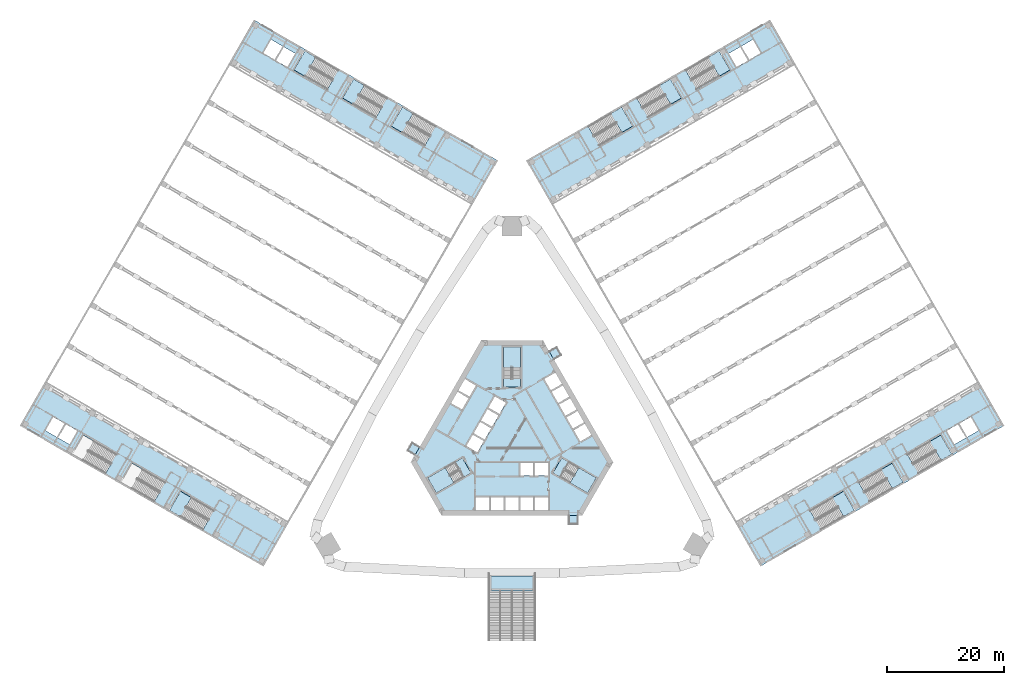
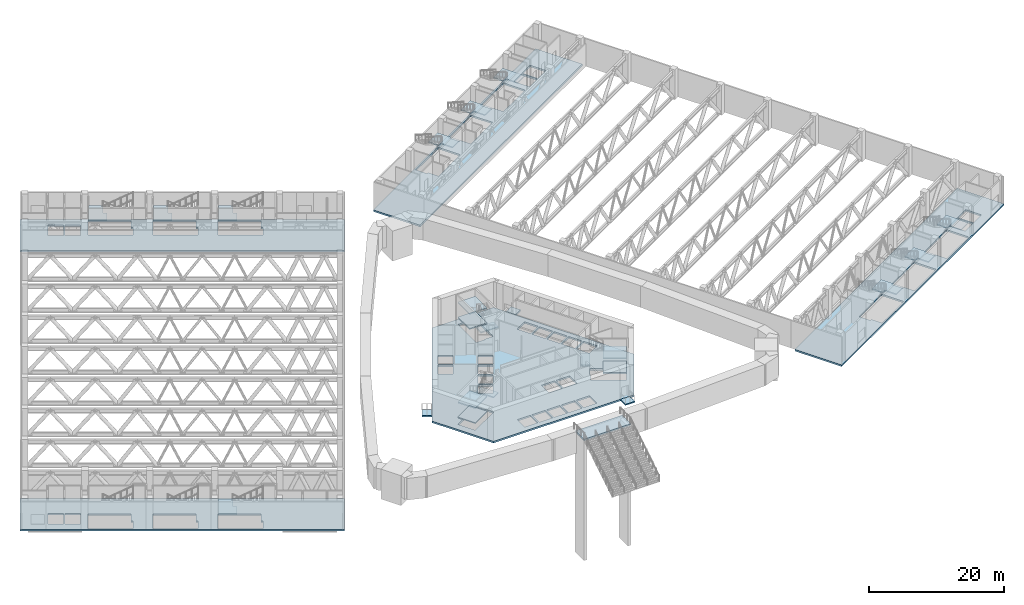
# One storey, part 12 of 37: 28 slabs, 13 elements without a shape of their own.
"""IFC4 building model written with IfcOpenShell, lengths in metres."""

from ifc_helpers import new_model, si_unit, direction, frame, origin, place, context, subcontext, project, spatial, polyline, outline, extrude, material, layer, layer_set, type_object, element, aggregate, save


model = new_model("IFC4")

# Units and contexts
model_context = context("Model", 3, precision=1e-05, world=origin(), true_north=direction((0.0, 1.0)))
body_context = subcontext(model_context, "Body", "Model", "MODEL_VIEW")
ifc_project = project(units=[si_unit("LENGTHUNIT", "METRE"), si_unit("AREAUNIT", "SQUARE_METRE"), si_unit("VOLUMEUNIT", "CUBIC_METRE"), si_unit("PLANEANGLEUNIT", "RADIAN"), si_unit("MASSUNIT", "GRAM", prefix="KILO")], contexts=[model_context])

# Site, building, storey
site_placement = place(None, origin())
site = spatial("IfcSite", under=ifc_project, at=site_placement, CompositionType="ELEMENT")
building_placement = place(site_placement, origin())
building = spatial("IfcBuilding", under=site, at=building_placement, Name="Mestral Congress Tower", CompositionType="ELEMENT")
storey_placement = place(building_placement, frame((0.0, 0.0, 16.199951171875)))
storey = spatial("IfcBuildingStorey", under=building, at=storey_placement, Name="L03", CompositionType="ELEMENT", Elevation=16.199951171875)

# Slabs
ifc_material_1 = material(Name="Concrete C35/45", Category="concrete")
ifc_layer_1 = layer(ifc_material_1, 0.300048828125)
ifc_layer_set_1 = layer_set([ifc_layer_1], Name="Concrete C35/45")
slab_type_1 = type_object("IfcSlabType", Name="Composite floor slab 300", PredefinedType="FLOOR", material=ifc_layer_set_1)
placement_1 = place(storey_placement, frame((0.0, 0.0, -0.300048828125)))
element("IfcSlab", 1, at=placement_1, inside=storey, type_object=slab_type_1, Name="SL-L03-E-0", PredefinedType="FLOOR", context=body_context, shape_type="SweptSolid", body=[
    extrude(outline(polyline([(44.0234375, 71.60498046875), (2.454345703125, 47.60498046875), (6.454345703125, 40.6767578125), (48.0234375, 64.6767578125), (44.0234375, 71.60498046875)]), holes=[polyline([(13.923583984375, 51.859619140625), (13.023681640625, 53.41845703125), (18.8173828125, 56.763427734375), (19.71728515625, 55.20458984375), (19.792236328125, 55.07470703125), (20.6923828125, 53.515869140625), (15.149658203125, 50.31591796875), (14.249755859375, 51.874755859375), (13.99853515625, 51.729736328125), (13.923583984375, 51.859619140625)]), polyline([(22.2373046875, 56.65966796875), (21.33740234375, 58.218505859375), (27.131103515625, 61.5634765625), (28.031005859375, 60.004638671875), (28.106201171875, 59.874755859375), (29.006103515625, 58.31591796875), (23.463623046875, 55.115966796875), (22.563720703125, 56.6748046875), (22.3125, 56.52978515625), (22.2373046875, 56.65966796875)]), polyline([(29.6513671875, 63.0185546875), (35.445068359375, 66.363525390625), (36.344970703125, 64.8046875), (36.419921875, 64.6748046875), (37.320068359375, 63.115966796875), (31.77734375, 59.916015625), (30.87744140625, 61.474853515625), (30.626220703125, 61.329833984375), (30.55126953125, 61.459716796875), (29.6513671875, 63.0185546875)]), polyline([(38.989501953125, 67.0244140625), (40.339599609375, 64.68603515625), (38.34765625, 63.535888671875), (36.99755859375, 65.874267578125), (38.989501953125, 67.0244140625)]), polyline([(41.154541015625, 68.2744140625), (42.50439453125, 65.93603515625), (40.5126953125, 64.785888671875), (39.16259765625, 67.124267578125), (41.154541015625, 68.2744140625)])]), origin(), (0.0, 0.0, 1.0), 0.300048828125),
])
element("IfcSlab", 2, at=placement_1, inside=storey, type_object=slab_type_1, Name="SL-L03-E-1", PredefinedType="FLOOR", context=body_context, shape_type="SweptSolid", body=[
    extrude(outline(polyline([(42.454345703125, -21.677001953125), (84.0234375, 2.322998046875), (80.0234375, 9.251220703125), (38.454345703125, -14.748779296875), (42.454345703125, -21.677001953125)]), holes=[polyline([(50.898681640625, -12.182861328125), (56.6923828125, -8.837890625), (57.59228515625, -10.396728515625), (57.667236328125, -10.526611328125), (58.5673828125, -12.08544921875), (53.024658203125, -15.285400390625), (52.124755859375, -13.7265625), (51.87353515625, -13.87158203125), (51.798583984375, -13.74169921875), (50.898681640625, -12.182861328125)]), polyline([(59.21240234375, -7.3828125), (65.006103515625, -4.037841796875), (65.906005859375, -5.5966796875), (65.981201171875, -5.7265625), (66.881103515625, -7.285400390625), (61.338623046875, -10.485595703125), (60.438720703125, -8.926513671875), (60.1875, -9.071533203125), (60.1123046875, -8.941650390625), (59.21240234375, -7.3828125)]), polyline([(68.42626953125, -4.1416015625), (67.5263671875, -2.5830078125), (73.320068359375, 0.76220703125), (74.219970703125, -0.796630859375), (74.294921875, -0.926513671875), (75.195068359375, -2.485595703125), (69.65234375, -5.685546875), (68.75244140625, -4.126708984375), (68.501220703125, -4.271484375), (68.42626953125, -4.1416015625)]), polyline([(76.189453125, 2.592041015625), (77.53955078125, 0.253662109375), (75.547607421875, -0.896240234375), (74.197509765625, 1.44189453125), (76.189453125, 2.592041015625)]), polyline([(79.70458984375, 1.503662109375), (77.712646484375, 0.353759765625), (76.36279296875, 2.69189453125), (78.3544921875, 3.842041015625), (79.70458984375, 1.503662109375)])]), origin(), (0.0, 0.0, 1.0), 0.300048828125),
])
element("IfcSlab", 3, at=placement_1, inside=storey, type_object=slab_type_1, Name="SL-L03-W-0", PredefinedType="FLOOR", context=body_context, shape_type="SweptSolid", body=[
    extrude(outline(polyline([(-84.0234375, 2.322998046875), (-42.454345703125, -21.677001953125), (-38.454345703125, -14.748779296875), (-80.0234375, 9.251220703125), (-84.0234375, 2.322998046875)]), holes=[polyline([(-51.87353515625, -13.87158203125), (-52.773681640625, -15.430419921875), (-58.5673828125, -12.08544921875), (-57.667236328125, -10.526611328125), (-57.59228515625, -10.396728515625), (-56.6923828125, -8.837890625), (-51.149658203125, -12.037841796875), (-52.0498046875, -13.5966796875), (-51.798583984375, -13.74169921875), (-51.87353515625, -13.87158203125)]), polyline([(-60.1875, -9.07177734375), (-61.08740234375, -10.630615234375), (-66.881103515625, -7.285400390625), (-65.981201171875, -5.726806640625), (-65.906005859375, -5.5966796875), (-65.006103515625, -4.037841796875), (-59.463623046875, -7.23779296875), (-60.363525390625, -8.796875), (-60.1123046875, -8.94189453125), (-60.1875, -9.07177734375)]), polyline([(-69.4013671875, -5.83056640625), (-75.195068359375, -2.485595703125), (-74.294921875, -0.9267578125), (-74.219970703125, -0.796875), (-73.320068359375, 0.76220703125), (-67.77734375, -2.43798828125), (-68.677490234375, -3.996826171875), (-68.42626953125, -4.141845703125), (-68.501220703125, -4.271728515625), (-69.4013671875, -5.83056640625)]), polyline([(-77.53955078125, 0.253662109375), (-76.189453125, 2.592041015625), (-74.197509765625, 1.44189453125), (-75.547607421875, -0.896240234375), (-77.53955078125, 0.253662109375)]), polyline([(-79.70458984375, 1.503662109375), (-78.3544921875, 3.842041015625), (-76.36279296875, 2.69189453125), (-77.712646484375, 0.353759765625), (-79.70458984375, 1.503662109375)])]), origin(), (0.0, 0.0, 1.0), 0.300048828125),
])
element("IfcSlab", 4, at=placement_1, inside=storey, type_object=slab_type_1, Name="SL-L03-W-1", PredefinedType="FLOOR", context=body_context, shape_type="SweptSolid", body=[
    extrude(outline(polyline([(-2.454345703125, 47.60498046875), (-44.0234375, 71.60498046875), (-48.0234375, 64.6767578125), (-6.454345703125, 40.6767578125), (-2.454345703125, 47.60498046875)]), holes=[polyline([(-14.898681640625, 50.1708984375), (-20.6923828125, 53.515869140625), (-19.792236328125, 55.07470703125), (-19.71728515625, 55.20458984375), (-18.8173828125, 56.763427734375), (-13.274658203125, 53.5634765625), (-14.1748046875, 52.004638671875), (-13.923583984375, 51.859619140625), (-13.99853515625, 51.729736328125), (-14.898681640625, 50.1708984375)]), polyline([(-23.21240234375, 54.970947265625), (-29.006103515625, 58.31591796875), (-28.106201171875, 59.874755859375), (-28.031005859375, 60.004638671875), (-27.131103515625, 61.5634765625), (-21.588623046875, 58.363525390625), (-22.488525390625, 56.8046875), (-22.2373046875, 56.65966796875), (-22.3125, 56.52978515625), (-23.21240234375, 54.970947265625)]), polyline([(-30.626220703125, 61.32958984375), (-31.5263671875, 59.77099609375), (-37.320068359375, 63.115966796875), (-36.419921875, 64.6748046875), (-36.344970703125, 64.8046875), (-35.445068359375, 66.363525390625), (-29.90234375, 63.16357421875), (-30.802490234375, 61.6044921875), (-30.55126953125, 61.459716796875), (-30.626220703125, 61.32958984375)]), polyline([(-40.339599609375, 64.68603515625), (-38.989501953125, 67.0244140625), (-36.99755859375, 65.874267578125), (-38.34765625, 63.535888671875), (-40.339599609375, 64.68603515625)]), polyline([(-41.154541015625, 68.2744140625), (-39.16259765625, 67.124267578125), (-40.5126953125, 64.785888671875), (-42.50439453125, 65.93603515625), (-41.154541015625, 68.2744140625)])]), origin(), (0.0, 0.0, 1.0), 0.300048828125),
])
ifc_material_2 = material(Name="Concrete C60/75", Category="concrete")
ifc_layer_2 = layer(ifc_material_2, 0.300048828125)
ifc_layer_set_2 = layer_set([ifc_layer_2], Name="Concrete C60/75")
slab_type_2 = type_object("IfcSlabType", Name="Core floor slab RC 300", PredefinedType="FLOOR", material=ifc_layer_set_2)
element("IfcSlab", 5, at=placement_1, inside=storey, type_object=slab_type_2, Name="L03 core floor", PredefinedType="FLOOR", context=body_context, shape_type="SweptSolid", body=[
    extrude(outline(polyline([(12.0087890625, -13.0), (-12.0087890625, -13.0), (-17.2626953125, -3.89990234375), (-5.25390625, 16.89990234375), (5.25390625, 16.89990234375), (17.2626953125, -3.89990234375), (12.0087890625, -13.0)]), holes=[polyline([(-3.905029296875, -9.89990234375), (-6.175048828125, -9.89990234375), (-6.175048828125, -12.10009765625), (-3.905029296875, -12.10009765625), (-3.905029296875, -9.89990234375)]), polyline([(-1.385009765625, -9.89990234375), (-3.655029296875, -9.89990234375), (-3.655029296875, -12.10009765625), (-1.385009765625, -12.10009765625), (-1.385009765625, -9.89990234375)]), polyline([(1.135009765625, -9.89990234375), (-1.135009765625, -9.89990234375), (-1.135009765625, -12.10009765625), (1.135009765625, -12.10009765625), (1.135009765625, -9.89990234375)]), polyline([(-9.0673828125, -5.235107421875), (-9.8046875, -3.95751953125), (-14.37744140625, -6.59765625), (-12.90234375, -9.15234375), (-8.234619140625, -6.45751953125), (-8.971923828125, -5.179931640625), (-9.0673828125, -5.235107421875)]), polyline([(-7.826904296875, -1.156494140625), (-5.921630859375, -2.256591796875), (-4.78662109375, -0.29052734375), (-6.69189453125, 0.809326171875), (-7.826904296875, -1.156494140625)]), polyline([(-4.66162109375, -0.07421875), (-3.526611328125, 1.8916015625), (-5.431884765625, 2.99169921875), (-6.56689453125, 1.02587890625), (-4.66162109375, -0.07421875)]), polyline([(-3.401611328125, 2.1083984375), (-2.2666015625, 4.07421875), (-4.171875, 5.174072265625), (-5.306884765625, 3.208251953125), (-3.401611328125, 2.1083984375)]), polyline([(-2.1416015625, 4.29052734375), (-1.006591796875, 6.256591796875), (-2.911865234375, 7.3564453125), (-4.046875, 5.390625), (-2.1416015625, 4.29052734375)]), polyline([(-10.41650390625, 6.158203125), (-8.51123046875, 5.058349609375), (-7.376220703125, 7.024169921875), (-9.281494140625, 8.1240234375), (-10.41650390625, 6.158203125)]), polyline([(-9.156494140625, 8.340576171875), (-7.251220703125, 7.240478515625), (-6.1162109375, 9.20654296875), (-8.021484375, 10.306396484375), (-9.156494140625, 8.340576171875)]), polyline([(1.47509765625, 10.469970703125), (1.47509765625, 15.75), (-1.47509765625, 15.75), (-1.47509765625, 10.360107421875), (0.0, 10.360107421875), (0.0, 10.469970703125), (1.47509765625, 10.469970703125)]), polyline([(3.655029296875, -9.89990234375), (1.385009765625, -9.89990234375), (1.385009765625, -12.10009765625), (3.655029296875, -12.10009765625), (3.655029296875, -9.89990234375)]), polyline([(6.175048828125, -9.89990234375), (3.905029296875, -9.89990234375), (3.905029296875, -12.10009765625), (6.175048828125, -12.10009765625), (6.175048828125, -9.89990234375)]), polyline([(9.0673828125, -5.235107421875), (8.329833984375, -6.512451171875), (12.90234375, -9.15234375), (14.37744140625, -6.59765625), (9.70947265625, -3.902587890625), (8.971923828125, -5.179931640625), (9.0673828125, -5.235107421875)]), polyline([(3.655029296875, -6.199951171875), (3.655029296875, -4.0), (1.385009765625, -4.0), (1.385009765625, -6.199951171875), (3.655029296875, -6.199951171875)]), polyline([(6.175048828125, -4.0), (3.905029296875, -4.0), (3.905029296875, -6.199951171875), (6.175048828125, -6.199951171875), (6.175048828125, -4.0)]), polyline([(12.431396484375, 2.668212890625), (10.526123046875, 1.568115234375), (11.6611328125, -0.397705078125), (13.56640625, 0.702392578125), (12.431396484375, 2.668212890625)]), polyline([(11.17138671875, 4.8505859375), (9.26611328125, 3.75048828125), (10.401123046875, 1.78466796875), (12.306396484375, 2.884765625), (11.17138671875, 4.8505859375)]), polyline([(8.006103515625, 5.932861328125), (9.14111328125, 3.967041015625), (11.04638671875, 5.067138671875), (9.911376953125, 7.032958984375), (8.006103515625, 5.932861328125)]), polyline([(8.6513671875, 9.21533203125), (6.74609375, 8.115234375), (7.881103515625, 6.1494140625), (9.786376953125, 7.24951171875), (8.6513671875, 9.21533203125)]), polyline([(7.391357421875, 11.397705078125), (5.486083984375, 10.297607421875), (6.62109375, 8.331787109375), (8.5263671875, 9.431884765625), (7.391357421875, 11.397705078125)])]), origin(), (0.0, 0.0, 1.0), 0.300048828125),
])

# Stair, slabs
stair_type_1 = type_object("IfcStairType", Name="Exit stair 1400", PredefinedType="HALF_TURN_STAIR", material=ifc_material_2)
placement_2 = place(storey_placement, origin())
stair_1 = element("IfcStair", 6, at=placement_2, inside=storey, type_object=stair_type_1, Name="L03 ST1", PredefinedType="HALF_TURN_STAIR")
ifc_layer_3 = layer(ifc_material_2, 0.199951171875)
ifc_layer_set_3 = layer_set([ifc_layer_3], Name="Concrete C60/75")
slab_type_3 = type_object("IfcSlabType", Name="Exit stair landing 200", PredefinedType="LANDING", material=ifc_layer_set_3)
placement_3 = place(storey_placement, frame((0.0, 0.0, 1.150146484375)))
slab_6 = element("IfcSlab", 7, at=placement_3, type_object=slab_type_3, Name="ST1 landing 1", PredefinedType="LANDING", context=body_context, shape_type="SweptSolid", body=[
    extrude(outline(polyline([(9.90966796875, -7.43603515625), (11.39453125, -4.864013671875), (14.39111328125, -6.593994140625), (12.906005859375, -9.166015625), (9.90966796875, -7.43603515625)])), origin(), (0.0, 0.0, 1.0), 0.199951171875),
])
placement_4 = place(storey_placement, frame((0.0, 0.0, 2.5)))
slab_7 = element("IfcSlab", 8, at=placement_4, type_object=slab_type_3, Name="ST1 landing 2", PredefinedType="LANDING", context=body_context, shape_type="SweptSolid", body=[
    extrude(outline(polyline([(6.999755859375, -5.756103515625), (8.48486328125, -3.18408203125), (9.714599609375, -3.89404296875), (8.2294921875, -6.466064453125), (6.999755859375, -5.756103515625)])), origin(), (0.0, 0.0, 1.0), 0.199951171875),
])
placement_5 = place(storey_placement, frame((0.0, 0.0, 3.85009765625)))
slab_8 = element("IfcSlab", 9, at=placement_5, type_object=slab_type_3, Name="ST1 landing 3", PredefinedType="LANDING", context=body_context, shape_type="SweptSolid", body=[
    extrude(outline(polyline([(9.90966796875, -7.43603515625), (11.39453125, -4.864013671875), (14.39111328125, -6.593994140625), (12.906005859375, -9.166015625), (9.90966796875, -7.43603515625)])), origin(), (0.0, 0.0, 1.0), 0.199951171875),
])
aggregate(stair_1, [slab_6, slab_7, slab_8])

stair_2 = element("IfcStair", 10, at=placement_2, inside=storey, type_object=stair_type_1, Name="L03 ST2", PredefinedType="HALF_TURN_STAIR")
slab_9 = element("IfcSlab", 11, at=placement_3, type_object=slab_type_3, Name="ST2 landing 1", PredefinedType="LANDING", context=body_context, shape_type="SweptSolid", body=[
    extrude(outline(polyline([(1.485107421875, 12.300048828125), (-1.485107421875, 12.300048828125), (-1.485107421875, 15.760009765625), (1.485107421875, 15.760009765625), (1.485107421875, 12.300048828125)])), origin(), (0.0, 0.0, 1.0), 0.199951171875),
])
slab_10 = element("IfcSlab", 12, at=placement_4, type_object=slab_type_3, Name="ST2 landing 2", PredefinedType="LANDING", context=body_context, shape_type="SweptSolid", body=[
    extrude(outline(polyline([(1.485107421875, 8.93994140625), (-1.485107421875, 8.93994140625), (-1.485107421875, 10.360107421875), (1.485107421875, 10.360107421875), (1.485107421875, 8.93994140625)])), origin(), (0.0, 0.0, 1.0), 0.199951171875),
])
slab_11 = element("IfcSlab", 13, at=placement_5, type_object=slab_type_3, Name="ST2 landing 3", PredefinedType="LANDING", context=body_context, shape_type="SweptSolid", body=[
    extrude(outline(polyline([(1.485107421875, 12.300048828125), (-1.485107421875, 12.300048828125), (-1.485107421875, 15.760009765625), (1.485107421875, 15.760009765625), (1.485107421875, 12.300048828125)])), origin(), (0.0, 0.0, 1.0), 0.199951171875),
])
aggregate(stair_2, [slab_9, slab_10, slab_11])

stair_3 = element("IfcStair", 14, at=placement_2, inside=storey, type_object=stair_type_1, Name="L03 ST3", PredefinedType="HALF_TURN_STAIR")
slab_12 = element("IfcSlab", 15, at=placement_3, type_object=slab_type_3, Name="ST3 landing 1", PredefinedType="LANDING", context=body_context, shape_type="SweptSolid", body=[
    extrude(outline(polyline([(-11.39453125, -4.864013671875), (-9.90966796875, -7.43603515625), (-12.906005859375, -9.166015625), (-14.39111328125, -6.593994140625), (-11.39453125, -4.864013671875)])), origin(), (0.0, 0.0, 1.0), 0.199951171875),
])
slab_13 = element("IfcSlab", 16, at=placement_4, type_object=slab_type_3, Name="ST3 landing 2", PredefinedType="LANDING", context=body_context, shape_type="SweptSolid", body=[
    extrude(outline(polyline([(-8.48486328125, -3.18408203125), (-6.999755859375, -5.756103515625), (-8.2294921875, -6.466064453125), (-9.714599609375, -3.89404296875), (-8.48486328125, -3.18408203125)])), origin(), (0.0, 0.0, 1.0), 0.199951171875),
])
slab_14 = element("IfcSlab", 17, at=placement_5, type_object=slab_type_3, Name="ST3 landing 3", PredefinedType="LANDING", context=body_context, shape_type="SweptSolid", body=[
    extrude(outline(polyline([(-11.39453125, -4.864013671875), (-9.90966796875, -7.43603515625), (-12.906005859375, -9.166015625), (-14.39111328125, -6.593994140625), (-11.39453125, -4.864013671875)])), origin(), (0.0, 0.0, 1.0), 0.199951171875),
])
aggregate(stair_3, [slab_12, slab_13, slab_14])

# Slabs
ifc_material_3 = material(Name="Concrete C40/50", Category="concrete")
ifc_layer_4 = layer(ifc_material_3, 0.199951171875)
ifc_layer_set_4 = layer_set([ifc_layer_4], Name="Concrete C40/50")
slab_type_4 = type_object("IfcSlabType", Name="Podium door landing slab 200", PredefinedType="LANDING", material=ifc_layer_set_4)
placement_6 = place(storey_placement, frame((0.0, 0.0, -0.199951171875)))
element("IfcSlab", 18, at=placement_6, inside=storey, type_object=slab_type_4, Name="Door landing", PredefinedType="LANDING", context=body_context, shape_type="SweptSolid", body=[
    extrude(outline(polyline([(9.661865234375, -13.0), (9.661865234375, -14.5), (11.26171875, -14.5), (11.26171875, -13.0), (9.661865234375, -13.0)])), origin(), (0.0, 0.0, 1.0), 0.199951171875),
])
element("IfcSlab", 19, at=placement_6, inside=storey, type_object=slab_type_4, Name="Door landing", PredefinedType="LANDING", context=body_context, shape_type="SweptSolid", body=[
    extrude(outline(polyline([(7.140625, 13.632080078125), (8.439697265625, 14.382080078125), (7.6396484375, 15.767822265625), (6.340576171875, 15.017822265625), (7.140625, 13.632080078125)])), origin(), (0.0, 0.0, 1.0), 0.199951171875),
])
element("IfcSlab", 20, at=placement_6, inside=storey, type_object=slab_type_4, Name="Door landing", PredefinedType="LANDING", context=body_context, shape_type="SweptSolid", body=[
    extrude(outline(polyline([(-15.774169921875, -1.32177734375), (-17.0732421875, -0.57177734375), (-17.873291015625, -1.95751953125), (-16.57421875, -2.70751953125), (-15.774169921875, -1.32177734375)])), origin(), (0.0, 0.0, 1.0), 0.199951171875),
])

# Stair, slab
stair_type_2 = type_object("IfcStairType", Name="Podium exit stair 1800", PredefinedType="HALF_TURN_STAIR", material=ifc_material_3)
stair_4 = element("IfcStair", 21, at=placement_2, inside=storey, type_object=stair_type_2, Name="L03 Exit stair E1", PredefinedType="HALF_TURN_STAIR")
ifc_layer_5 = layer(ifc_material_3, 0.199951171875)
ifc_layer_set_5 = layer_set([ifc_layer_5], Name="Concrete C40/50")
slab_type_5 = type_object("IfcSlabType", Name="Podium exit stair landing 200", PredefinedType="LANDING", material=ifc_layer_set_5)
slab_18 = element("IfcSlab", 22, at=placement_4, type_object=slab_type_5, Name="PS-E1 landing 1", PredefinedType="LANDING", context=body_context, shape_type="SweptSolid", body=[
    extrude(outline(polyline([(56.635986328125, -13.200439453125), (55.6611328125, -11.51171875), (55.150146484375, -11.806640625), (54.250244140625, -10.247802734375), (56.605712890625, -8.887939453125), (58.480712890625, -12.135498046875), (56.635986328125, -13.200439453125)])), origin(), (0.0, 0.0, 1.0), 0.199951171875),
])
aggregate(stair_4, [slab_18])

stair_5 = element("IfcStair", 23, at=placement_2, inside=storey, type_object=stair_type_2, Name="L03 Exit stair E2", PredefinedType="HALF_TURN_STAIR")
slab_19 = element("IfcSlab", 24, at=placement_4, type_object=slab_type_5, Name="PS-E2 landing 1", PredefinedType="LANDING", context=body_context, shape_type="SweptSolid", body=[
    extrude(outline(polyline([(64.949951171875, -8.400390625), (63.974853515625, -6.711669921875), (63.4638671875, -7.0068359375), (62.56396484375, -5.447998046875), (64.91943359375, -4.087890625), (66.79443359375, -7.33544921875), (64.949951171875, -8.400390625)])), origin(), (0.0, 0.0, 1.0), 0.199951171875),
])
aggregate(stair_5, [slab_19])

stair_6 = element("IfcStair", 25, at=placement_2, inside=storey, type_object=stair_type_2, Name="L03 Exit stair E3", PredefinedType="HALF_TURN_STAIR")
slab_20 = element("IfcSlab", 26, at=placement_4, type_object=slab_type_5, Name="PS-E3 landing 1", PredefinedType="LANDING", context=body_context, shape_type="SweptSolid", body=[
    extrude(outline(polyline([(73.263671875, -3.6005859375), (72.28857421875, -1.911865234375), (71.77783203125, -2.206787109375), (70.877685546875, -0.64794921875), (73.2333984375, 0.712158203125), (75.1083984375, -2.535400390625), (73.263671875, -3.6005859375)])), origin(), (0.0, 0.0, 1.0), 0.199951171875),
])
aggregate(stair_6, [slab_20])

stair_7 = element("IfcStair", 27, at=placement_2, inside=storey, type_object=stair_type_2, Name="L03 Exit stair E4", PredefinedType="HALF_TURN_STAIR")
slab_21 = element("IfcSlab", 28, at=placement_4, type_object=slab_type_5, Name="PS-E4 landing 1", PredefinedType="LANDING", context=body_context, shape_type="SweptSolid", body=[
    extrude(outline(polyline([(18.760986328125, 52.40087890625), (17.7861328125, 54.089599609375), (17.275146484375, 53.794677734375), (16.375244140625, 55.353515625), (18.730712890625, 56.71337890625), (20.605712890625, 53.4658203125), (18.760986328125, 52.40087890625)])), origin(), (0.0, 0.0, 1.0), 0.199951171875),
])
aggregate(stair_7, [slab_21])

stair_8 = element("IfcStair", 29, at=placement_2, inside=storey, type_object=stair_type_2, Name="L03 Exit stair E5", PredefinedType="HALF_TURN_STAIR")
slab_22 = element("IfcSlab", 30, at=placement_4, type_object=slab_type_5, Name="PS-E5 landing 1", PredefinedType="LANDING", context=body_context, shape_type="SweptSolid", body=[
    extrude(outline(polyline([(27.074951171875, 57.200927734375), (26.099853515625, 58.8896484375), (25.5888671875, 58.5947265625), (24.68896484375, 60.153564453125), (27.04443359375, 61.513427734375), (28.91943359375, 58.265869140625), (27.074951171875, 57.200927734375)])), origin(), (0.0, 0.0, 1.0), 0.199951171875),
])
aggregate(stair_8, [slab_22])

stair_9 = element("IfcStair", 31, at=placement_2, inside=storey, type_object=stair_type_2, Name="L03 Exit stair E6", PredefinedType="HALF_TURN_STAIR")
slab_23 = element("IfcSlab", 32, at=placement_4, type_object=slab_type_5, Name="PS-E6 landing 1", PredefinedType="LANDING", context=body_context, shape_type="SweptSolid", body=[
    extrude(outline(polyline([(35.388671875, 62.0009765625), (34.41357421875, 63.689697265625), (33.90283203125, 63.39453125), (33.002685546875, 64.95361328125), (35.3583984375, 66.3134765625), (37.2333984375, 63.06591796875), (35.388671875, 62.0009765625)])), origin(), (0.0, 0.0, 1.0), 0.199951171875),
])
aggregate(stair_9, [slab_23])

stair_10 = element("IfcStair", 33, at=placement_2, inside=storey, type_object=stair_type_2, Name="L03 Exit stair W1", PredefinedType="HALF_TURN_STAIR")
slab_24 = element("IfcSlab", 34, at=placement_4, type_object=slab_type_5, Name="PS-W1 landing 1", PredefinedType="LANDING", context=body_context, shape_type="SweptSolid", body=[
    extrude(outline(polyline([(-17.35009765625, 53.664794921875), (-18.250244140625, 52.10595703125), (-20.605712890625, 53.4658203125), (-18.730712890625, 56.71337890625), (-16.885986328125, 55.6484375), (-17.861083984375, 53.959716796875), (-17.35009765625, 53.664794921875)])), origin(), (0.0, 0.0, 1.0), 0.199951171875),
])
aggregate(stair_10, [slab_24])

stair_11 = element("IfcStair", 35, at=placement_2, inside=storey, type_object=stair_type_2, Name="L03 Exit stair W2", PredefinedType="HALF_TURN_STAIR")
slab_25 = element("IfcSlab", 36, at=placement_4, type_object=slab_type_5, Name="PS-W2 landing 1", PredefinedType="LANDING", context=body_context, shape_type="SweptSolid", body=[
    extrude(outline(polyline([(-25.663818359375, 58.46484375), (-26.56396484375, 56.906005859375), (-28.91943359375, 58.265869140625), (-27.04443359375, 61.513427734375), (-25.199951171875, 60.448486328125), (-26.1748046875, 58.759765625), (-25.663818359375, 58.46484375)])), origin(), (0.0, 0.0, 1.0), 0.199951171875),
])
aggregate(stair_11, [slab_25])

stair_12 = element("IfcStair", 37, at=placement_2, inside=storey, type_object=stair_type_2, Name="L03 Exit stair W3", PredefinedType="HALF_TURN_STAIR")
slab_26 = element("IfcSlab", 38, at=placement_4, type_object=slab_type_5, Name="PS-W3 landing 1", PredefinedType="LANDING", context=body_context, shape_type="SweptSolid", body=[
    extrude(outline(polyline([(-33.977783203125, 63.2646484375), (-34.877685546875, 61.705810546875), (-37.2333984375, 63.06591796875), (-35.3583984375, 66.3134765625), (-33.513671875, 65.24853515625), (-34.48876953125, 63.559814453125), (-33.977783203125, 63.2646484375)])), origin(), (0.0, 0.0, 1.0), 0.199951171875),
])
aggregate(stair_12, [slab_26])

stair_13 = element("IfcStair", 39, at=placement_2, inside=storey, type_object=stair_type_2, Name="L03 Exit stair W4", PredefinedType="HALF_TURN_STAIR")
slab_27 = element("IfcSlab", 40, at=placement_4, type_object=slab_type_5, Name="PS-W4 landing 1", PredefinedType="LANDING", context=body_context, shape_type="SweptSolid", body=[
    extrude(outline(polyline([(-55.22509765625, -11.936767578125), (-56.125244140625, -13.49560546875), (-58.480712890625, -12.135498046875), (-56.605712890625, -8.887939453125), (-54.760986328125, -9.952880859375), (-55.736083984375, -11.6416015625), (-55.22509765625, -11.936767578125)])), origin(), (0.0, 0.0, 1.0), 0.199951171875),
])
aggregate(stair_13, [slab_27])

# Slab
ifc_layer_6 = layer(ifc_material_1, 0.300048828125)
ifc_layer_set_6 = layer_set([ifc_layer_6], Name="Concrete C35/45")
slab_type_6 = type_object("IfcSlabType", Name="Stair terrace slab 300", PredefinedType="LANDING", material=ifc_layer_set_6)
slab_28_placement = place(storey_placement, frame((0.0, 0.0, 5.10009765625)))
element("IfcSlab", 41, at=slab_28_placement, inside=storey, type_object=slab_type_6, Name="SL-TERR-0", PredefinedType="LANDING", context=body_context, shape_type="SweptSolid", body=[
    extrude(outline(polyline([(4.0, -25.927978515625), (4.0, -23.348388671875), (3.2041015625, -23.36328125), (-3.2041015625, -23.36328125), (-4.0, -23.348388671875), (-4.0, -25.927978515625), (4.0, -25.927978515625)])), origin(), (0.0, 0.0, 1.0), 0.300048828125),
])

save(model, "model.ifc")
